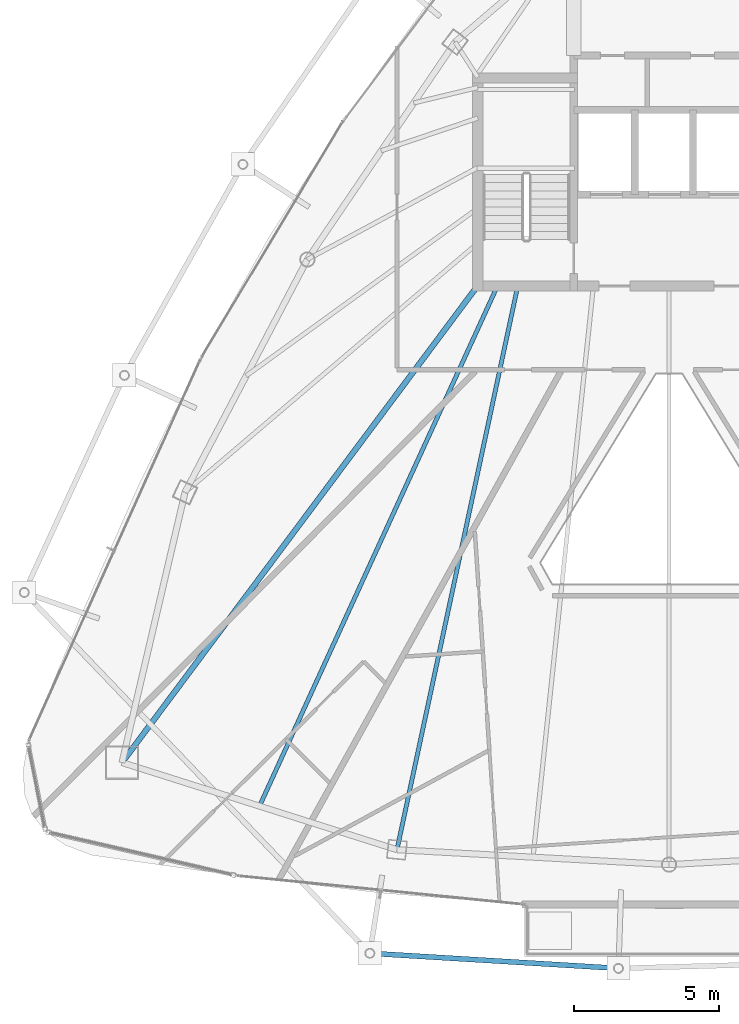
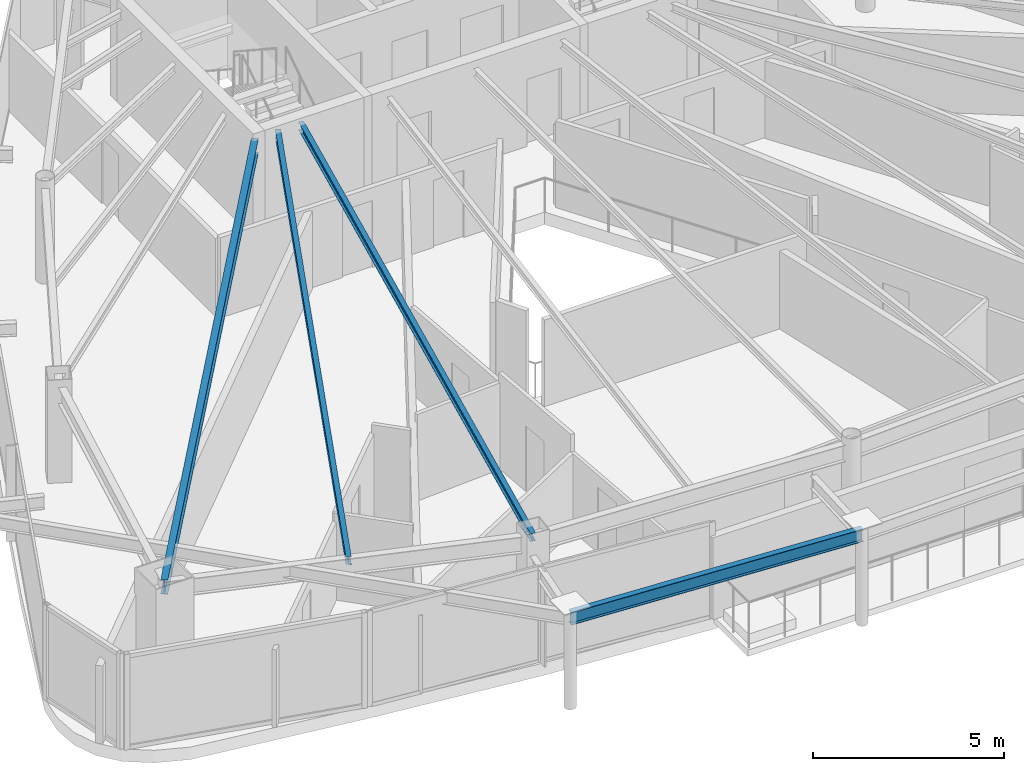
# One storey, part 6 of 29: 4 beams.
"""IFC4 building model written with IfcOpenShell, lengths in metres."""

from ifc_helpers import new_model, si_unit, direction, frame, origin, origin_2d, place, context, subcontext, project, spatial, i_section, extrude, material, material_profile, profile_set, type_object, element, save


model = new_model("IFC4")

# Units and contexts
model_context = context("Model", 3, precision=1e-05, world=origin(), true_north=direction((0.0, 1.0)))
body_context = subcontext(model_context, "Body", "Model", "MODEL_VIEW")
ifc_project = project(units=[si_unit("LENGTHUNIT", "METRE"), si_unit("AREAUNIT", "SQUARE_METRE"), si_unit("VOLUMEUNIT", "CUBIC_METRE"), si_unit("PLANEANGLEUNIT", "RADIAN"), si_unit("MASSUNIT", "GRAM", prefix="KILO")], contexts=[model_context])

# Site, building, storey
site_placement = place(None, origin())
site = spatial("IfcSite", under=ifc_project, at=site_placement, CompositionType="ELEMENT")
building_placement = place(site_placement, origin())
building = spatial("IfcBuilding", under=site, at=building_placement, Name="Orvanel Arch Residences", CompositionType="ELEMENT")
storey_placement = place(building_placement, frame((0.0, 0.0, 256.85009765625)))
storey = spatial("IfcBuildingStorey", under=building, at=storey_placement, Name="L73", CompositionType="ELEMENT", Elevation=256.85009765625)

# Beams
ifc_material = material(Name="Structural steel AS/NZS 3679.1 Grade 300 (300 MPa)", Category="steel")
ifc_material_profile_1 = material_profile(ifc_material, i_section(OverallWidth=0.19091796875, OverallDepth=0.4599609375, WebThickness=0.010009765625, FlangeThickness=0.01611328125, at=origin_2d()), Name="460UB82.1")
ifc_profile_set_1 = profile_set([ifc_material_profile_1], Name="Structural steel AS/NZS 3679.1 Grade 300 (300 MPa)")
beam_type_1 = type_object("IfcBeamType", Name="BG-460UB", PredefinedType="BEAM", material=ifc_profile_set_1)
beam_1_placement = place(storey_placement, frame((26.375, 26.675048828125, 2.829833984375), z_axis=(-0.597893733742, -0.801575375839, 0.0), x_axis=(0.801575375839, -0.597893733742, 0.0)))
element("IfcBeam", 1, at=beam_1_placement, inside=storey, type_object=beam_type_1, Name="L73 South-West Radial Girder", PredefinedType="BEAM", context=body_context, shape_type="SweptSolid", body=[
    extrude(i_section(OverallWidth=0.19091796875, OverallDepth=0.4599609375, WebThickness=0.010009765625, FlangeThickness=0.01611328125, at=origin_2d()), origin(), (0.0, 0.0, 1.0), 20.36474609375),
])
ifc_material_profile_2 = material_profile(ifc_material, i_section(OverallWidth=0.14599609375, OverallDepth=0.251953125, WebThickness=0.006103515625, FlangeThickness=0.008544921875, at=origin_2d()), Name="250UB31.4")
ifc_profile_set_2 = profile_set([ifc_material_profile_2], Name="Structural steel AS/NZS 3679.1 Grade 300 (300 MPa)")
beam_type_2 = type_object("IfcBeamType", Name="BJ-250UB", PredefinedType="JOIST", material=ifc_profile_set_2)
beam_2_placement = place(storey_placement, frame((27.800048828125, 26.72509765625, 2.933837890625), z_axis=(-0.209547604985, -0.977798446125, 0.0), x_axis=(0.977798446125, -0.209547604985, 0.0)))
element("IfcBeam", 2, at=beam_2_placement, inside=storey, type_object=beam_type_2, Name="L73 SW Wing Floor Joist", PredefinedType="JOIST", context=body_context, shape_type="SweptSolid", body=[
    extrude(i_section(OverallWidth=0.14599609375, OverallDepth=0.251953125, WebThickness=0.006103515625, FlangeThickness=0.008544921875, at=origin_2d()), origin(), (0.0, 0.0, 1.0), 19.809814453125),
])
beam_3_placement = place(storey_placement, frame((27.10009765625, 26.72509765625, 2.933837890625), z_axis=(-0.416009574066, -0.909360233508, 0.0), x_axis=(0.909360233508, -0.416009574066, 0.0)))
element("IfcBeam", 3, at=beam_3_placement, inside=storey, type_object=beam_type_2, Name="L73 JADD1 Wing Floor Joist", PredefinedType="JOIST", context=body_context, shape_type="SweptSolid", body=[
    extrude(i_section(OverallWidth=0.14599609375, OverallDepth=0.251953125, WebThickness=0.006103515625, FlangeThickness=0.008544921875, at=origin_2d()), origin(), (0.0, 0.0, 1.0), 19.653564453125),
])
ifc_material_profile_3 = material_profile(ifc_material, i_section(OverallWidth=0.177978515625, OverallDepth=0.406005859375, WebThickness=0.0078125, FlangeThickness=0.0126953125, at=origin_2d()), Name="410UB59.7")
ifc_profile_set_3 = profile_set([ifc_material_profile_3], Name="Structural steel AS/NZS 3679.1 Grade 300 (300 MPa)")
beam_type_3 = type_object("IfcBeamType", Name="OB-410UB-EXT", PredefinedType="SPANDREL", material=ifc_profile_set_3)
beam_4_placement = place(storey_placement, frame((22.716064453125, 3.7958984375, 2.85693359375), z_axis=(0.998168861908, -0.060489033032, 0.0), x_axis=(0.060489033032, 0.998168861908, 0.0)))
element("IfcBeam", 4, at=beam_4_placement, inside=storey, type_object=beam_type_3, Name="L73 Outer Perimeter Floor Ring Beam 05", PredefinedType="SPANDREL", context=body_context, shape_type="SweptSolid", body=[
    extrude(i_section(OverallWidth=0.177978515625, OverallDepth=0.406005859375, WebThickness=0.0078125, FlangeThickness=0.0126953125, at=origin_2d()), origin(), (0.0, 0.0, 1.0), 8.560546875),
])

save(model, "model.ifc")
